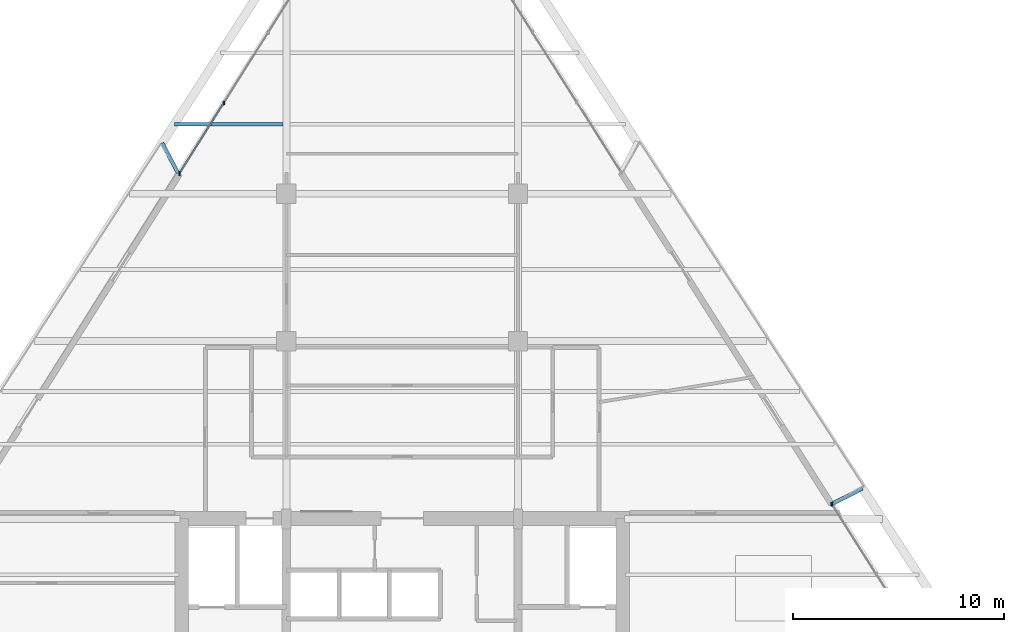
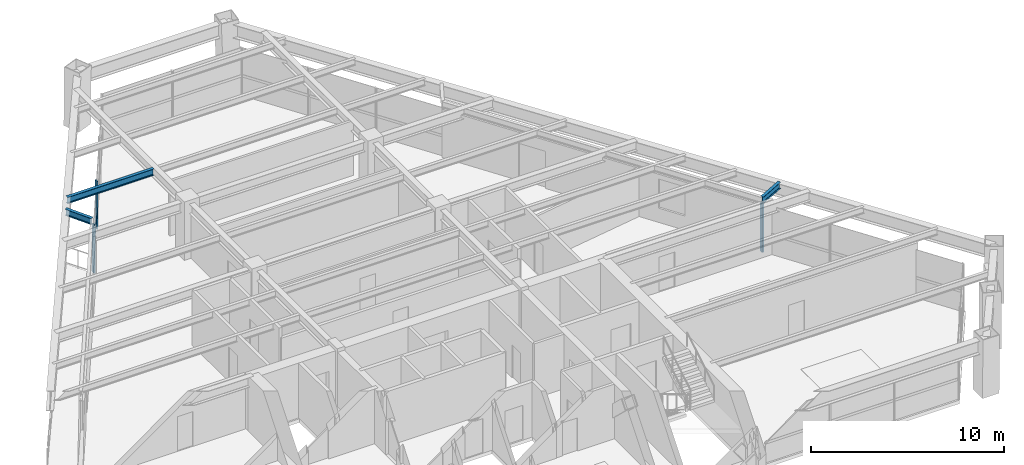
# One storey, part 8 of 15: 6 members, 3 beams, 2 elements without a shape of their own.
"""IFC4 building model written with IfcOpenShell, lengths in metres."""

from ifc_helpers import new_model, si_unit, direction, frame, origin, origin_2d, place, context, subcontext, project, spatial, rectangle, i_section, extrude, source, transform, mapped, material, material_profile, profile_set, type_object, element, aggregate, save


model = new_model("IFC4")

# Units and contexts
model_context = context("Model", 3, precision=1e-05, world=origin(), true_north=direction((0.0, 1.0)))
body_context = subcontext(model_context, "Body", "Model", "MODEL_VIEW")
ifc_project = project(units=[si_unit("LENGTHUNIT", "METRE"), si_unit("AREAUNIT", "SQUARE_METRE"), si_unit("VOLUMEUNIT", "CUBIC_METRE"), si_unit("PLANEANGLEUNIT", "RADIAN"), si_unit("MASSUNIT", "GRAM", prefix="KILO")], contexts=[model_context])

# Site, building, storey
site_placement = place(None, origin())
site = spatial("IfcSite", under=ifc_project, at=site_placement, CompositionType="ELEMENT")
building_placement = place(site_placement, origin())
building = spatial("IfcBuilding", under=site, at=building_placement, Name="Varnakhor Terracotta Tower", CompositionType="ELEMENT")
storey_placement = place(building_placement, frame((0.0, 0.0, 171.0)))
storey = spatial("IfcBuildingStorey", under=building, at=storey_placement, Name="L43", CompositionType="ELEMENT", Elevation=171.0)

# Beam
ifc_material_1 = material(Name="Steel S355", Category="steel")
ifc_material_profile_1 = material_profile(ifc_material_1, i_section(OverallWidth=0.179931640625, OverallDepth=0.4130859375, WebThickness=0.009765625, FlangeThickness=0.01611328125, FilletRadius=0.01806640625, at=origin_2d()), Name="W16X50")
ifc_profile_set_1 = profile_set([ifc_material_profile_1], Name="Steel S355")
beam_type_1 = type_object("IfcBeamType", Name="JST-W16X50", PredefinedType="JOIST", material=ifc_profile_set_1)
shared_shape_1 = source(origin(), body_context, "Body", "SweptSolid", [
    extrude(i_section(OverallWidth=0.179931640625, OverallDepth=0.4130859375, WebThickness=0.009765625, FlangeThickness=0.01611328125, FilletRadius=0.01806640625, at=origin_2d()), origin(), (0.0, 0.0, 1.0), 5.16552734375),
])
beam_1_placement = place(storey_placement, frame((-10.823974609375, 34.800048828125, 3.263427734375), z_axis=(1.0, 0.0, 0.0), x_axis=(0.0, 1.0, 0.0)))
element("IfcBeam", 1, at=beam_1_placement, inside=storey, type_object=beam_type_1, Name="L43 Composite Floor Joist 7-1", PredefinedType="JOIST", context=body_context, shape_type="MappedRepresentation", body=[
    mapped(shared_shape_1, transform((0.0, 0.0, 0.0), scale=1.0)),
])

# Curtain wall, members
ifc_material_2 = material(Name="Anodised Aluminium Curtain Wall System", Category="aluminium")
curtain_wall_type = type_object("IfcCurtainWallType", Name="CW-SYS-MID-OFFICE", PredefinedType="NOTDEFINED", material=ifc_material_2)
curtain_wall_1_placement = place(storey_placement, origin())
curtain_wall_1 = element("IfcCurtainWall", 2, at=curtain_wall_1_placement, inside=storey, type_object=curtain_wall_type, Name="L43 W Facet Curtain Wall 2", PredefinedType="NOTDEFINED")
ifc_material_3 = material(Name="Anodised Aluminium 6063-T6", Category="aluminium")
ifc_material_profile_2 = material_profile(ifc_material_3, rectangle(XDim=0.070068359375, YDim=0.175048828125, at=origin_2d()), Name="ALU MULLION 70x175")
ifc_profile_set_2 = profile_set([ifc_material_profile_2], Name="Anodised Aluminium 6063-T6")
member_type_1 = type_object("IfcMemberType", Name="CWM-03", PredefinedType="MULLION", material=ifc_profile_set_2)
shared_shape_2 = source(origin(), body_context, "Body", "SweptSolid", [
    extrude(rectangle(XDim=0.070068359375, YDim=0.175048828125, at=origin_2d()), origin(), (0.0, 0.0, 1.0), 3.050048828125),
])
member_1_placement = place(storey_placement, frame((-10.575439453125, 32.472412109375, 0.0), z_axis=(0.0, 0.0, 1.0), x_axis=(1.0, 0.0, 0.0)))
member_1 = element("IfcMember", 3, at=member_1_placement, type_object=member_type_1, Name="L43 W Facet Curtain Wall 2 Mullion 1", PredefinedType="MULLION", context=body_context, shape_type="MappedRepresentation", body=[
    mapped(shared_shape_2, transform((0.0, 0.0, 0.0), scale=1.0)),
])
member_2_placement = place(storey_placement, frame((-8.466796875, 35.816650390625, 0.0), z_axis=(0.0, 0.0, 1.0), x_axis=(1.0, 0.0, 0.0)))
member_2 = element("IfcMember", 4, at=member_2_placement, type_object=member_type_1, Name="L43 W Facet Curtain Wall 2 Mullion 2", PredefinedType="MULLION", context=body_context, shape_type="MappedRepresentation", body=[
    mapped(shared_shape_2, transform((0.0, 0.0, 0.0), scale=1.0)),
])
member_3_placement = place(storey_placement, frame((-10.57470703125, 32.436279296875, 0.0), z_axis=(0.0, 0.0, 1.0), x_axis=(1.0, 0.0, 0.0)))
member_3 = element("IfcMember", 5, at=member_3_placement, type_object=member_type_1, Name="L43 W Loggia Jamb Closure Mullion 2", PredefinedType="MULLION", context=body_context, shape_type="MappedRepresentation", body=[
    mapped(shared_shape_2, transform((0.0, 0.0, 0.0), scale=1.0)),
])

curtain_wall_2_placement = place(storey_placement, origin())
curtain_wall_2 = element("IfcCurtainWall", 6, at=curtain_wall_2_placement, inside=storey, type_object=curtain_wall_type, Name="L43 E Facet Curtain Wall 2", PredefinedType="NOTDEFINED")
member_4_placement = place(storey_placement, frame((20.418701171875, 16.7509765625, 0.0), z_axis=(0.0, 0.0, 1.0), x_axis=(1.0, 0.0, 0.0)))
member_4 = element("IfcMember", 7, at=member_4_placement, type_object=member_type_1, Name="L43 E Facet Curtain Wall 2 Mullion 1", PredefinedType="MULLION", context=body_context, shape_type="MappedRepresentation", body=[
    mapped(shared_shape_2, transform((0.0, 0.0, 0.0), scale=1.0)),
])
member_5_placement = place(storey_placement, frame((20.385498046875, 16.765625, 0.0), z_axis=(0.0, 0.0, 1.0), x_axis=(1.0, 0.0, 0.0)))
member_5 = element("IfcMember", 8, at=member_5_placement, type_object=member_type_1, Name="L43 E Loggia Jamb Closure Mullion 2", PredefinedType="MULLION", context=body_context, shape_type="MappedRepresentation", body=[
    mapped(shared_shape_2, transform((0.0, 0.0, 0.0), scale=1.0)),
])
aggregate(curtain_wall_2, [member_4, member_5])

# Beam
ifc_material_profile_3 = material_profile(ifc_material_1, i_section(OverallWidth=0.179931640625, OverallDepth=0.39990234375, WebThickness=0.008544921875, FlangeThickness=0.013427734375, FilletRadius=0.01806640625, at=origin_2d()), Name="IPE400")
ifc_profile_set_3 = profile_set([ifc_material_profile_3], Name="Steel S355")
beam_type_2 = type_object("IfcBeamType", Name="JST-IPE400", PredefinedType="JOIST", material=ifc_profile_set_3)
shared_shape_3 = source(origin(), body_context, "Body", "SweptSolid", [
    extrude(i_section(OverallWidth=0.179931640625, OverallDepth=0.39990234375, WebThickness=0.008544921875, FlangeThickness=0.013427734375, FilletRadius=0.01806640625, at=origin_2d()), origin(), (0.0, 0.0, 1.0), 1.624755859375),
])
beam_2_placement = place(storey_placement, frame((20.417724609375, 16.76806640625, 3.27001953125), z_axis=(0.892495697172, 0.451055906214, 0.0), x_axis=(-0.451055906214, 0.892495697172, 0.0)))
element("IfcBeam", 9, at=beam_2_placement, inside=storey, type_object=beam_type_2, Name="L44 E Loggia Tie Beam 2", PredefinedType="JOIST", context=body_context, shape_type="MappedRepresentation", body=[
    mapped(shared_shape_3, transform((0.0, 0.0, 0.0), scale=1.0)),
])

# Member
ifc_material_profile_4 = material_profile(ifc_material_3, rectangle(XDim=0.070068359375, YDim=0.155029296875, at=origin_2d()), Name="ALU TRANSOM 70x155")
ifc_profile_set_4 = profile_set([ifc_material_profile_4], Name="Anodised Aluminium 6063-T6")
member_type_2 = type_object("IfcMemberType", Name="CWT-03", PredefinedType="USERDEFINED", material=ifc_profile_set_4)
shared_shape_4 = source(origin(), body_context, "Body", "SweptSolid", [
    extrude(rectangle(XDim=0.070068359375, YDim=0.155029296875, at=origin_2d()), origin(), (0.0, 0.0, 1.0), 3.95361328125),
])
member_6_placement = place(storey_placement, frame((-10.575439453125, 32.472412109375, 1.281005859375), z_axis=(0.533358560828, 0.845889263196, 0.0), x_axis=(-0.845889263196, 0.533358560828, 0.0)))
member_6 = element("IfcMember", 10, at=member_6_placement, type_object=member_type_2, Name="L43 W Facet Curtain Wall 2 Transom 1", ObjectType="TRANSOM", PredefinedType="USERDEFINED", context=body_context, shape_type="MappedRepresentation", body=[
    mapped(shared_shape_4, transform((0.0, 0.0, 0.0), scale=1.0)),
])

aggregate(curtain_wall_1, [member_1, member_6, member_2, member_3])

# Beam
shared_shape_5 = source(origin(), body_context, "Body", "SweptSolid", [
    extrude(i_section(OverallWidth=0.179931640625, OverallDepth=0.39990234375, WebThickness=0.008544921875, FlangeThickness=0.013427734375, FilletRadius=0.01806640625, at=origin_2d()), origin(), (0.0, 0.0, 1.0), 1.6044921875),
])
beam_3_placement = place(storey_placement, frame((-10.65087890625, 32.489013671875, 3.27001953125), z_axis=(-0.465740161875, 0.884921522857, 0.0), x_axis=(-0.884921522857, -0.465740161875, 0.0)))
element("IfcBeam", 11, at=beam_3_placement, inside=storey, type_object=beam_type_2, Name="L44 W Loggia Tie Beam 2", PredefinedType="JOIST", context=body_context, shape_type="MappedRepresentation", body=[
    mapped(shared_shape_5, transform((0.0, 0.0, 0.0), scale=1.0)),
])

save(model, "model.ifc")
